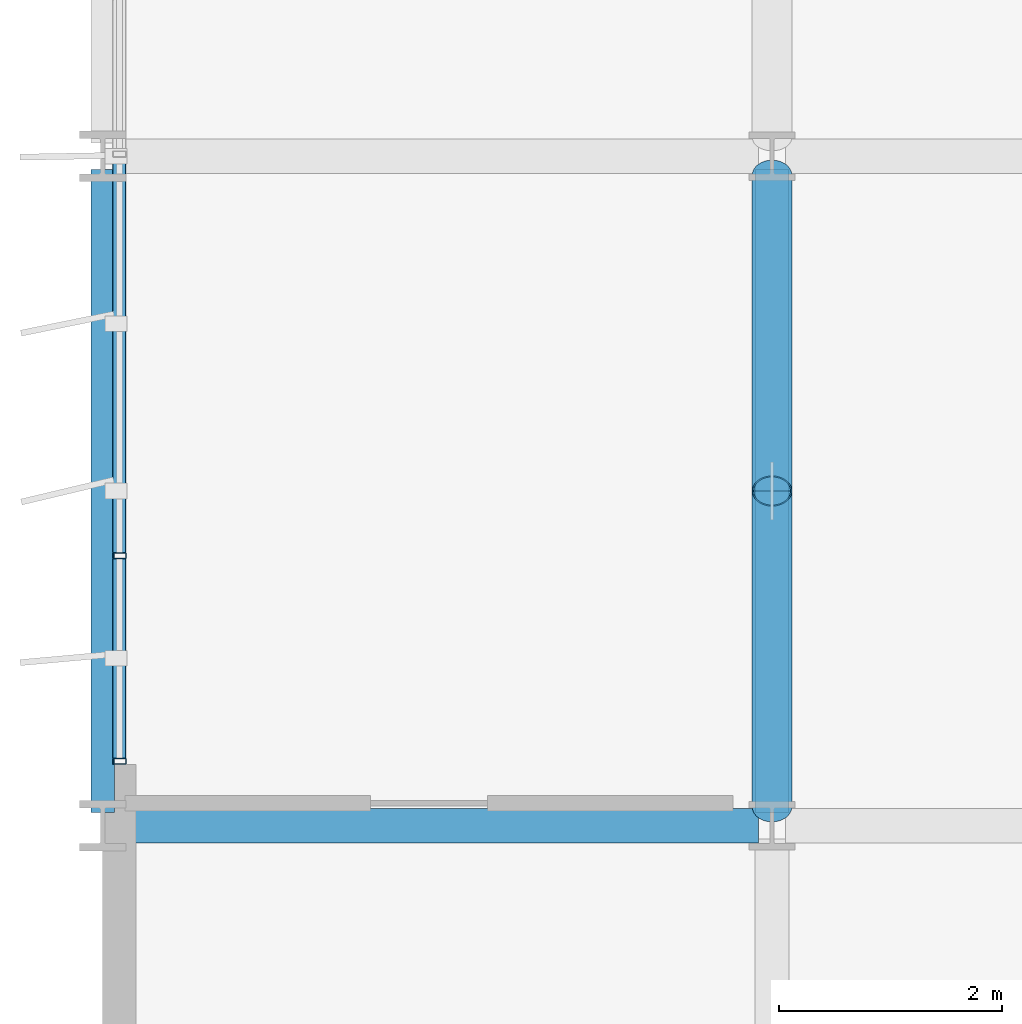
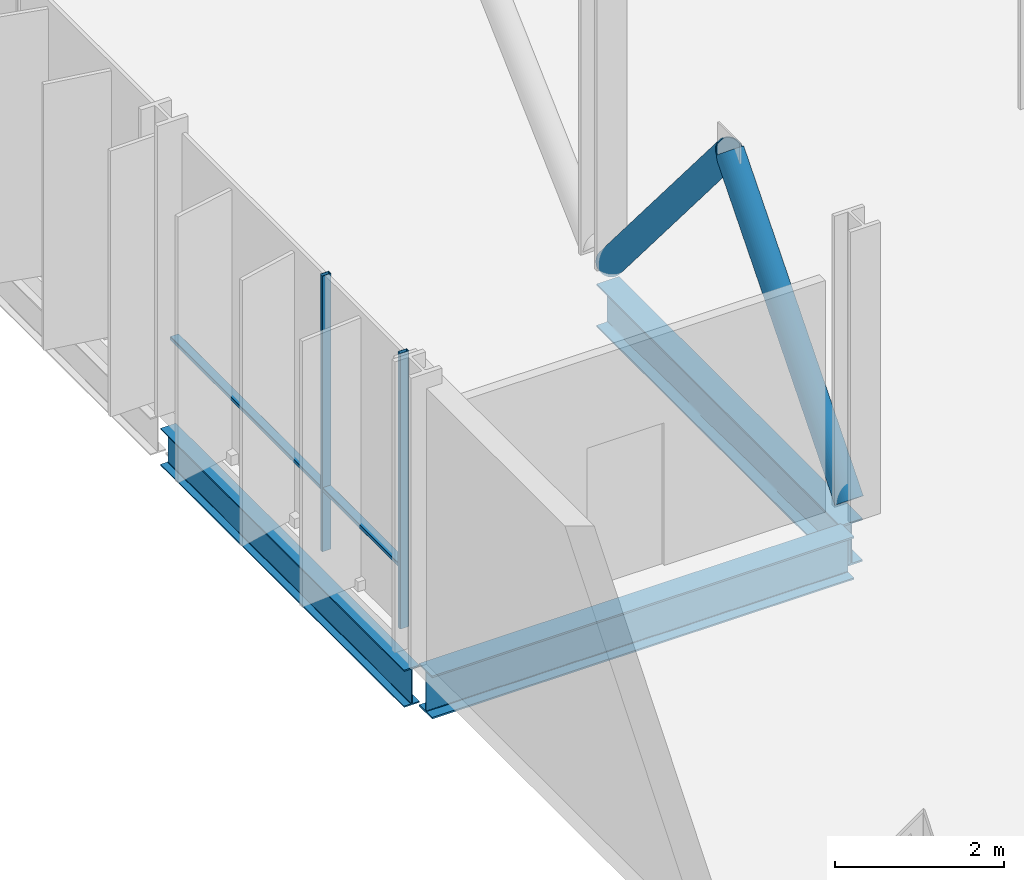
# One storey, part 2 of 32: 6 members, 3 beams, 1 element without a shape of its own.
"""IFC4 building model written with IfcOpenShell, lengths in metres."""

from ifc_helpers import new_model, si_unit, direction, frame, origin, origin_2d, place, context, subcontext, project, spatial, hollow_rectangle, hollow_circle, i_section, extrude, material, layer, layer_set, material_profile, profile_set, type_object, element, aggregate, save


model = new_model("IFC4")

# Units and contexts
model_context = context("Model", 3, precision=1e-05, world=origin(), true_north=direction((0.0, 1.0)))
body_context = subcontext(model_context, "Body", "Model", "MODEL_VIEW")
ifc_project = project(units=[si_unit("LENGTHUNIT", "METRE"), si_unit("AREAUNIT", "SQUARE_METRE"), si_unit("VOLUMEUNIT", "CUBIC_METRE"), si_unit("PLANEANGLEUNIT", "RADIAN"), si_unit("MASSUNIT", "GRAM", prefix="KILO")], contexts=[model_context])

# Site, building, storey
site_placement = place(None, origin())
site = spatial("IfcSite", under=ifc_project, at=site_placement, CompositionType="ELEMENT")
building_placement = place(site_placement, origin())
building = spatial("IfcBuilding", under=site, at=building_placement, Name="Brevholm Reach", CompositionType="ELEMENT")
storey_placement = place(building_placement, frame((0.0, 0.0, 96.199951171875)))
storey = spatial("IfcBuildingStorey", under=building, at=storey_placement, Name="L28", CompositionType="ELEMENT", Elevation=96.199951171875)

# Beams
ifc_material_1 = material(Name="Structural Steel S355J2", Category="steel")
ifc_material_profile_1 = material_profile(ifc_material_1, i_section(OverallWidth=0.210693359375, OverallDepth=0.53955078125, WebThickness=0.01171875, FlangeThickness=0.018798828125, FilletRadius=0.0126953125, at=origin_2d()), Name="UKB 533x210x109")
ifc_profile_set_1 = profile_set([ifc_material_profile_1], Name="Structural Steel S355J2")
beam_type_1 = type_object("IfcBeamType", Name="BM-SP539", PredefinedType="SPANDREL", material=ifc_profile_set_1)
beam_placement = place(storey_placement, frame((0.0, 10.1201171875, -0.52978515625), z_axis=(0.0, 1.0, 0.0), x_axis=(-1.0, 0.0, 0.0)))
element("IfcBeam", 1, at=beam_placement, inside=storey, type_object=beam_type_1, Name="L28 SP-01B Framing Beam", PredefinedType="SPANDREL", context=body_context, shape_type="SweptSolid", body=[
    extrude(i_section(OverallWidth=0.210693359375, OverallDepth=0.53955078125, WebThickness=0.01171875, FlangeThickness=0.018798828125, FilletRadius=0.0126953125, at=origin_2d()), origin(), (0.0, 0.0, 1.0), 5.759765625),
])
ifc_material_2 = material(Name="Structural Steel S355J2", Category="steel")
ifc_material_profile_2 = material_profile(ifc_material_2, i_section(OverallWidth=0.30712890625, OverallDepth=0.6201171875, WebThickness=0.01416015625, FlangeThickness=0.023681640625, FilletRadius=0.0166015625, at=origin_2d()), Name="UKB 610x305x179")
ifc_profile_set_2 = profile_set([ifc_material_profile_2], Name="Structural Steel S355J2")
beam_type_2 = type_object("IfcBeamType", Name="BM-UKB610H", PredefinedType="USERDEFINED", material=ifc_profile_set_2)
for number, where, z_axis, x_axis, name in (
    (2, (0.1201171875, 10.0, -0.570068359375), (1.0, 0.0, 0.0), (0.0, 1.0, 0.0), "L28 G-06 Framing Beam"),
    (3, (6.0, 10.1201171875, -0.570068359375), (0.0, 1.0, 0.0), (-1.0, 0.0, 0.0), "L28 G-06 Framing Beam"),
):
    element("IfcBeam", number, at=place(storey_placement, frame(where, z_axis=z_axis, x_axis=x_axis)), inside=storey, type_object=beam_type_2, Name=name, ObjectType="GIRDER", PredefinedType="USERDEFINED", context=body_context, shape_type="SweptSolid", body=[
        extrude(i_section(OverallWidth=0.30712890625, OverallDepth=0.6201171875, WebThickness=0.01416015625, FlangeThickness=0.023681640625, FilletRadius=0.0166015625, at=origin_2d()), origin(), (0.0, 0.0, 1.0), 5.759765625),
    ])

# Curtain wall, members
ifc_material_3 = material(Name="Dark Anodised Aluminium 6063-T6 and Solar-Control Glass", Category="aluminium")
ifc_layer = layer(ifc_material_3, 0.1201171875)
ifc_layer_set = layer_set([ifc_layer], Name="Dark Anodised Aluminium 6063-T6 and Solar-Control Glass")
curtain_wall_type = type_object("IfcCurtainWallType", Name="CW-06", PredefinedType="NOTDEFINED", material=ifc_layer_set)
curtain_wall_placement = place(storey_placement, origin())
curtain_wall = element("IfcCurtainWall", 4, at=curtain_wall_placement, inside=storey, type_object=curtain_wall_type, Name="L28 Curtain Wall CW-06", PredefinedType="NOTDEFINED")
ifc_material_4 = material(Name="Dark Anodised Aluminium 6063-T6", Category="aluminium")
ifc_material_profile_3 = material_profile(ifc_material_4, hollow_rectangle(XDim=0.054931640625, YDim=0.1201171875, WallThickness=0.00390625, InnerFilletRadius=0.00390625, OuterFilletRadius=0.008056640625, at=origin_2d()), Name="RHS 120x55x4")
ifc_profile_set_3 = profile_set([ifc_material_profile_3], Name="Dark Anodised Aluminium 6063-T6")
member_type_1 = type_object("IfcMemberType", Name="CWM-120", PredefinedType="MULLION", material=ifc_profile_set_3)
member_1_placement = place(storey_placement, frame((0.14990234375, 12.419921875, 0.0), z_axis=(0.0, 0.0, 1.0), x_axis=(0.0, -1.0, 0.0)))
member_1 = element("IfcMember", 5, at=member_1_placement, type_object=member_type_1, Name="CM-120 Mullion 4", PredefinedType="MULLION", context=body_context, shape_type="SweptSolid", body=[
    extrude(hollow_rectangle(XDim=0.054931640625, YDim=0.1201171875, WallThickness=0.00390625, InnerFilletRadius=0.00390625, OuterFilletRadius=0.008056640625, at=origin_2d()), origin(), (0.0, 0.0, 1.0), 3.97998046875),
])
member_2_placement = place(storey_placement, frame((0.14990234375, 10.577392578125, 0.0), z_axis=(0.0, 0.0, 1.0), x_axis=(0.0, -1.0, 0.0)))
member_2 = element("IfcMember", 6, at=member_2_placement, type_object=member_type_1, Name="CM-120 Mullion 5", PredefinedType="MULLION", context=body_context, shape_type="SweptSolid", body=[
    extrude(hollow_rectangle(XDim=0.054931640625, YDim=0.1201171875, WallThickness=0.00390625, InnerFilletRadius=0.00390625, OuterFilletRadius=0.008056640625, at=origin_2d()), origin(), (0.0, 0.0, 1.0), 3.97998046875),
])
ifc_material_5 = material(Name="Dark Anodised Aluminium 6063-T6", Category="aluminium")
ifc_material_profile_4 = material_profile(ifc_material_5, hollow_rectangle(XDim=0.054931640625, YDim=0.1201171875, WallThickness=0.00390625, InnerFilletRadius=0.00390625, OuterFilletRadius=0.008056640625, at=origin_2d()), Name="RHS 120x55x4")
ifc_profile_set_4 = profile_set([ifc_material_profile_4], Name="Dark Anodised Aluminium 6063-T6")
member_type_2 = type_object("IfcMemberType", Name="CWT-120", PredefinedType="NOTDEFINED", material=ifc_profile_set_4)
member_3_placement = place(storey_placement, frame((0.14990234375, 15.992431640625, 0.900146484375), z_axis=(0.0, -1.0, 0.0), x_axis=(0.0, 0.0, 1.0)))
member_3 = element("IfcMember", 7, at=member_3_placement, type_object=member_type_2, Name="CT-120 Transom 3.1", ObjectType="TRANSOM", PredefinedType="USERDEFINED", context=body_context, shape_type="SweptSolid", body=[
    extrude(hollow_rectangle(XDim=0.054931640625, YDim=0.1201171875, WallThickness=0.00390625, InnerFilletRadius=0.00390625, OuterFilletRadius=0.008056640625, at=origin_2d()), origin(), (0.0, 0.0, 1.0), 3.544921875),
])
member_4_placement = place(storey_placement, frame((0.14990234375, 12.392578125, 0.900146484375), z_axis=(0.0, -1.0, 0.0), x_axis=(0.0, 0.0, 1.0)))
member_4 = element("IfcMember", 8, at=member_4_placement, type_object=member_type_2, Name="CT-120 Transom 4.1", ObjectType="TRANSOM", PredefinedType="USERDEFINED", context=body_context, shape_type="SweptSolid", body=[
    extrude(hollow_rectangle(XDim=0.054931640625, YDim=0.1201171875, WallThickness=0.00390625, InnerFilletRadius=0.00390625, OuterFilletRadius=0.008056640625, at=origin_2d()), origin(), (0.0, 0.0, 1.0), 1.78759765625),
])
aggregate(curtain_wall, [member_1, member_2, member_3, member_4])

# Members
ifc_material_6 = material(Name="Structural Steel S355J2H", Category="steel")
ifc_material_profile_5 = material_profile(ifc_material_6, hollow_circle(Radius=0.177734375, WallThickness=0.012451171875, at=origin_2d()), Name="CHS 355.6x12.5")
ifc_profile_set_5 = profile_set([ifc_material_profile_5], Name="Structural Steel S355J2H")
member_type_3 = type_object("IfcMemberType", Name="MEM-BB-CHS355", PredefinedType="BRACE", material=ifc_profile_set_5)
for number, where, z_axis, x_axis, name in (
    (9, (6.0, 10.169921875, 0.02001953125), (0.0, 0.647280409907, 0.762251973399), (-1.0, 0.0, 0.0), "L28 Belt Truss Brace BB-01A"),
    (10, (6.0, 13.0, 3.352783203125), (0.0, 0.647280409907, -0.762251973399), (-1.0, 0.0, 0.0), "L28 Belt Truss Brace BB-01B"),
):
    element("IfcMember", number, at=place(storey_placement, frame(where, z_axis=z_axis, x_axis=x_axis)), inside=storey, type_object=member_type_3, Name=name, PredefinedType="BRACE", context=body_context, shape_type="SweptSolid", body=[
        extrude(hollow_circle(Radius=0.177734375, WallThickness=0.012451171875, at=origin_2d()), origin(), (0.0, 0.0, 1.0), 4.372314453125),
    ])

save(model, "model.ifc")
